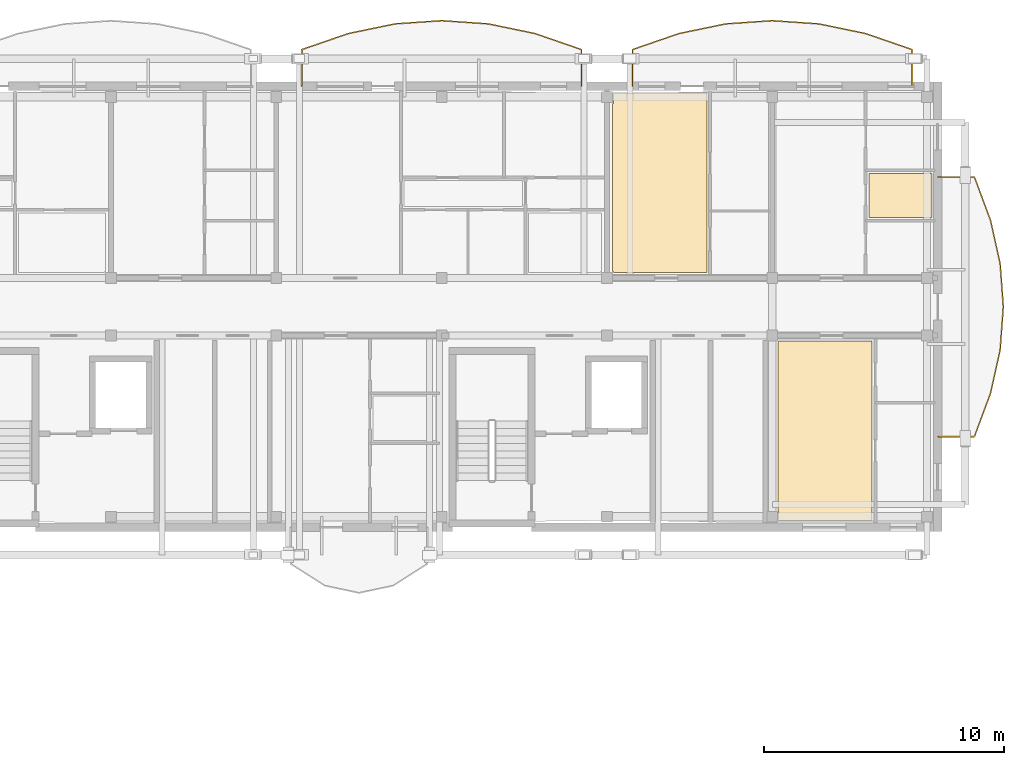
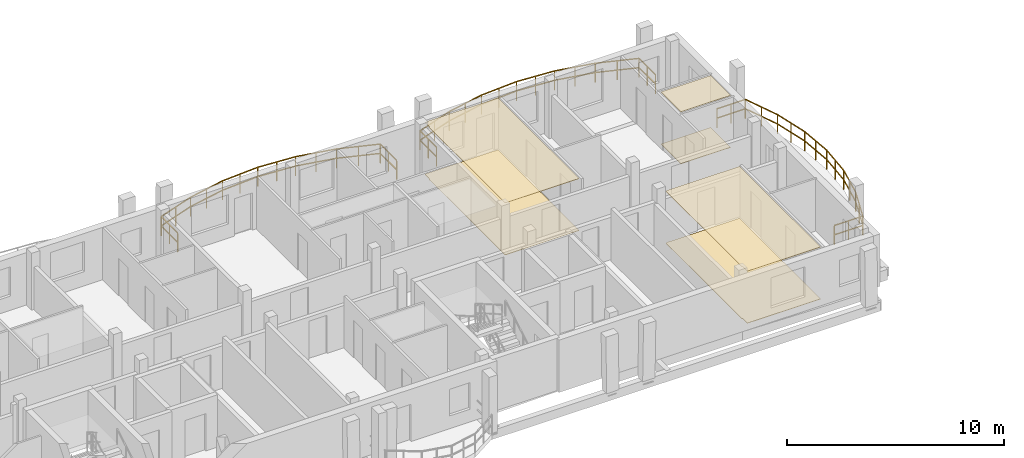
# One storey, part 48 of 48: 6 coverings, 3 railings.
"""IFC4 building model written with IfcOpenShell, lengths in metres."""

from ifc_helpers import new_model, si_unit, direction, frame, origin, origin_2d, place, context, subcontext, project, spatial, polyline, rectangle, outline, extrude, material, layer, layer_set, type_object, element, save


model = new_model("IFC4")

# Units and contexts
model_context = context("Model", 3, precision=1e-05, world=origin(), true_north=direction((0.0, 1.0)))
body_context = subcontext(model_context, "Body", "Model", "MODEL_VIEW")
ifc_project = project(units=[si_unit("LENGTHUNIT", "METRE"), si_unit("AREAUNIT", "SQUARE_METRE"), si_unit("VOLUMEUNIT", "CUBIC_METRE"), si_unit("PLANEANGLEUNIT", "RADIAN"), si_unit("MASSUNIT", "GRAM", prefix="KILO")], contexts=[model_context])

# Site, building, storey
site_placement = place(None, origin())
site = spatial("IfcSite", under=ifc_project, at=site_placement, CompositionType="ELEMENT")
building_placement = place(site_placement, origin())
building = spatial("IfcBuilding", under=site, at=building_placement, Name="Zavelmont Quarter", CompositionType="ELEMENT")
storey_placement = place(building_placement, frame((0.0, 0.0, 17.60009765625)))
storey = spatial("IfcBuildingStorey", under=building, at=storey_placement, Name="L05", CompositionType="ELEMENT", Elevation=17.60009765625)

# Coverings
ifc_material_1 = material(Name="Perforated acoustic gypsum board")
ifc_layer_1 = layer(ifc_material_1, 0.02490234375)
ifc_layer_set_1 = layer_set([ifc_layer_1], Name="Perforated acoustic gypsum board")
covering_type_1 = type_object("IfcCoveringType", Name="CV-CL01", PredefinedType="CEILING", material=ifc_layer_set_1)
covering_1_placement = place(storey_placement, frame((0.0, 0.0, 2.9248046875)))
element("IfcCovering", 1, at=covering_1_placement, inside=storey, type_object=covering_type_1, Name="L05 Residents Study Lounge acoustic ceiling", PredefinedType="CEILING", context=body_context, shape_type="SweptSolid", body=[
    extrude(outline(polyline([(154.429931640625, 115.294921875), (154.465087890625, 115.294921875), (154.465087890625, 115.719970703125), (158.3701171875, 115.719970703125), (158.3701171875, 108.22998046875), (154.465087890625, 108.22998046875), (154.465087890625, 108.264892578125), (154.429931640625, 108.264892578125), (154.429931640625, 115.294921875)])), origin(), (0.0, 0.0, 1.0), 0.025146484375),
])
covering_2_placement = place(storey_placement, frame((0.0, 0.0, 2.9248046875)))
element("IfcCovering", 2, at=covering_2_placement, inside=storey, type_object=covering_type_1, Name="L05 Residents Study Lounge acoustic ceiling", PredefinedType="CEILING", context=body_context, shape_type="SweptSolid", body=[
    extrude(outline(polyline([(161.330078125, 105.3349609375), (161.364990234375, 105.3349609375), (161.364990234375, 105.3701171875), (165.27001953125, 105.3701171875), (165.27001953125, 97.8798828125), (161.364990234375, 97.8798828125), (161.364990234375, 98.304931640625), (161.330078125, 98.304931640625), (161.330078125, 105.3349609375)])), origin(), (0.0, 0.0, 1.0), 0.025146484375),
])
ifc_material_2 = material(Name="Moisture-resistant painted gypsum ceiling")
ifc_layer_2 = layer(ifc_material_2, 0.02001953125)
ifc_layer_set_2 = layer_set([ifc_layer_2], Name="Moisture-resistant painted gypsum ceiling")
covering_type_2 = type_object("IfcCoveringType", Name="CV-CL04", PredefinedType="CEILING", material=ifc_layer_set_2)
covering_3_placement = place(storey_placement, frame((0.0, 0.0, 2.929931640625)))
element("IfcCovering", 3, at=covering_3_placement, inside=storey, type_object=covering_type_2, Name="L05 Bathroom acoustic ceiling", PredefinedType="CEILING", context=body_context, shape_type="SweptSolid", body=[
    extrude(outline(polyline([(165.1298828125, 112.3701171875), (167.77001953125, 112.3701171875), (167.77001953125, 110.530029296875), (165.1298828125, 110.530029296875), (165.1298828125, 112.3701171875)])), origin(), (0.0, 0.0, 1.0), 0.02001953125),
])
ifc_material_3 = material(Name="Engineered European oak parquet")
ifc_layer_3 = layer(ifc_material_3, 0.02197265625)
ifc_layer_set_3 = layer_set([ifc_layer_3], Name="Engineered European oak parquet")
covering_type_3 = type_object("IfcCoveringType", Name="CV-FL01", PredefinedType="FLOORING", material=ifc_layer_set_3)
covering_4_placement = place(storey_placement, origin())
element("IfcCovering", 4, at=covering_4_placement, inside=storey, type_object=covering_type_3, Name="L05 Residents Study Lounge floor finish", PredefinedType="FLOORING", context=body_context, shape_type="SweptSolid", body=[
    extrude(outline(polyline([(154.429931640625, 115.294921875), (154.465087890625, 115.294921875), (154.465087890625, 115.719970703125), (158.3701171875, 115.719970703125), (158.3701171875, 108.22998046875), (154.465087890625, 108.22998046875), (154.465087890625, 108.264892578125), (154.429931640625, 108.264892578125), (154.429931640625, 115.294921875)])), origin(), (0.0, 0.0, 1.0), 0.02197265625),
])
covering_5_placement = place(storey_placement, origin())
element("IfcCovering", 5, at=covering_5_placement, inside=storey, type_object=covering_type_3, Name="L05 Residents Study Lounge floor finish", PredefinedType="FLOORING", context=body_context, shape_type="SweptSolid", body=[
    extrude(outline(polyline([(161.330078125, 105.3349609375), (161.364990234375, 105.3349609375), (161.364990234375, 105.3701171875), (165.27001953125, 105.3701171875), (165.27001953125, 97.8798828125), (161.364990234375, 97.8798828125), (161.364990234375, 98.304931640625), (161.330078125, 98.304931640625), (161.330078125, 105.3349609375)])), origin(), (0.0, 0.0, 1.0), 0.02197265625),
])
ifc_material_4 = material(Name="Slip-resistant porcelain tile")
ifc_layer_4 = layer(ifc_material_4, 0.02587890625)
ifc_layer_set_4 = layer_set([ifc_layer_4], Name="Slip-resistant porcelain tile")
covering_type_4 = type_object("IfcCoveringType", Name="CV-FL04", PredefinedType="FLOORING", material=ifc_layer_set_4)
covering_6_placement = place(storey_placement, origin())
element("IfcCovering", 6, at=covering_6_placement, inside=storey, type_object=covering_type_4, Name="L05 Bathroom floor finish", PredefinedType="FLOORING", context=body_context, shape_type="SweptSolid", body=[
    extrude(outline(polyline([(165.1298828125, 112.3701171875), (167.77001953125, 112.3701171875), (167.77001953125, 110.530029296875), (165.1298828125, 110.530029296875), (165.1298828125, 112.3701171875)])), origin(), (0.0, 0.0, 1.0), 0.02587890625),
])

# Railings
ifc_material_5 = material(Name="Powder-coated steel and tempered double safety glass", Category="steel")
railing_type = type_object("IfcRailingType", Name="RL-BAL1", PredefinedType="BALUSTRADE", material=ifc_material_5)
railing_1_placement = place(storey_placement, frame((153.14111328125, 116.02001953125, 0.0)))
element("IfcRailing", 7, at=railing_1_placement, inside=storey, type_object=railing_type, Name="L05 Block C curved balcony guard RL-BAL1", PredefinedType="BALUSTRADE", context=body_context, shape_type="SweptSolid", body=[
    extrude(rectangle(XDim=0.048095703125, YDim=0.048095703125, at=origin_2d()), frame((0.0, 0.0, 1.076171875), z_axis=(0.0, 1.0, 0.0), x_axis=(-1.0, 0.0, 0.0)), (0.0, 0.0, 1.0), 1.518310546875),
    extrude(rectangle(XDim=0.048095703125, YDim=0.048095703125, at=origin_2d()), frame((0.0, 0.0, 0.550048828125), z_axis=(0.0, 1.0, 0.0), x_axis=(-1.0, 0.0, 0.0)), (0.0, 0.0, 1.0), 1.518310546875),
    extrude(rectangle(XDim=0.048095703125, YDim=0.048095703125, at=origin_2d()), frame((0.0, 1.518310546875, 1.076171875), z_axis=(-0.945372981626, 0.325990683319, 0.0), x_axis=(-0.325990683319, -0.945372981626, 0.0)), (0.0, 0.0, 1.0), 2.0595703125),
    extrude(rectangle(XDim=0.048095703125, YDim=0.048095703125, at=origin_2d()), frame((0.0, 1.518310546875, 0.550048828125), z_axis=(-0.945372981626, 0.325990683319, 0.0), x_axis=(-0.325990683319, -0.945372981626, 0.0)), (0.0, 0.0, 1.0), 2.0595703125),
    extrude(rectangle(XDim=0.048095703125, YDim=0.048095703125, at=origin_2d()), frame((-1.947021484375, 2.189697265625, 1.076171875), z_axis=(-0.979236050797, 0.202723350453, 0.0), x_axis=(-0.202723350453, -0.979236050797, 0.0)), (0.0, 0.0, 1.0), 1.98828125),
    extrude(rectangle(XDim=0.048095703125, YDim=0.048095703125, at=origin_2d()), frame((-1.947021484375, 2.189697265625, 0.550048828125), z_axis=(-0.979236050797, 0.202723350453, 0.0), x_axis=(-0.202723350453, -0.979236050797, 0.0)), (0.0, 0.0, 1.0), 1.98828125),
    extrude(rectangle(XDim=0.048095703125, YDim=0.048095703125, at=origin_2d()), frame((-3.89404296875, 2.5927734375, 1.076171875), z_axis=(-0.997630328423, 0.068802091615, 0.0), x_axis=(-0.068802091615, -0.997630328423, 0.0)), (0.0, 0.0, 1.0), 1.95166015625),
    extrude(rectangle(XDim=0.048095703125, YDim=0.048095703125, at=origin_2d()), frame((-3.89404296875, 2.5927734375, 0.550048828125), z_axis=(-0.997630328423, 0.068802091615, 0.0), x_axis=(-0.068802091615, -0.997630328423, 0.0)), (0.0, 0.0, 1.0), 1.95166015625),
    extrude(rectangle(XDim=0.048095703125, YDim=0.048095703125, at=origin_2d()), frame((-5.841064453125, 2.72705078125, 1.076171875), z_axis=(-0.997630920476, -0.068793506302, 0.0), x_axis=(0.068793506302, -0.997630920476, 0.0)), (0.0, 0.0, 1.0), 1.951904296875),
    extrude(rectangle(XDim=0.048095703125, YDim=0.048095703125, at=origin_2d()), frame((-5.841064453125, 2.72705078125, 0.550048828125), z_axis=(-0.997630920476, -0.068793506302, 0.0), x_axis=(0.068793506302, -0.997630920476, 0.0)), (0.0, 0.0, 1.0), 1.951904296875),
    extrude(rectangle(XDim=0.048095703125, YDim=0.048095703125, at=origin_2d()), frame((-7.788330078125, 2.5927734375, 1.076171875), z_axis=(-0.979231003689, -0.202747728504, 0.0), x_axis=(0.202747728504, -0.979231003689, 0.0)), (0.0, 0.0, 1.0), 1.988037109375),
    extrude(rectangle(XDim=0.048095703125, YDim=0.048095703125, at=origin_2d()), frame((-7.788330078125, 2.5927734375, 0.550048828125), z_axis=(-0.979231003689, -0.202747728504, 0.0), x_axis=(0.202747728504, -0.979231003689, 0.0)), (0.0, 0.0, 1.0), 1.988037109375),
    extrude(rectangle(XDim=0.048095703125, YDim=0.048095703125, at=origin_2d()), frame((-9.735107421875, 2.189697265625, 1.076171875), z_axis=(-0.945385576966, -0.325954154546, 0.0), x_axis=(0.325954154546, -0.945385576966, 0.0)), (0.0, 0.0, 1.0), 2.059814453125),
    extrude(rectangle(XDim=0.048095703125, YDim=0.048095703125, at=origin_2d()), frame((-9.735107421875, 2.189697265625, 0.550048828125), z_axis=(-0.945385576966, -0.325954154546, 0.0), x_axis=(0.325954154546, -0.945385576966, 0.0)), (0.0, 0.0, 1.0), 2.059814453125),
    extrude(rectangle(XDim=0.048095703125, YDim=0.048095703125, at=origin_2d()), frame((-11.682373046875, 1.518310546875, 1.076171875), z_axis=(0.0, -1.0, 0.0), x_axis=(1.0, 0.0, 0.0)), (0.0, 0.0, 1.0), 1.518310546875),
    extrude(rectangle(XDim=0.048095703125, YDim=0.048095703125, at=origin_2d()), frame((-11.682373046875, 1.518310546875, 0.550048828125), z_axis=(0.0, -1.0, 0.0), x_axis=(1.0, 0.0, 0.0)), (0.0, 0.0, 1.0), 1.518310546875),
    extrude(rectangle(XDim=0.0419921875, YDim=0.0419921875, at=origin_2d()), origin(), (0.0, 0.0, 1.0), 1.052001953125),
    extrude(rectangle(XDim=0.0419921875, YDim=0.0419921875, at=origin_2d()), frame((0.0, 0.75927734375, 0.0)), (0.0, 0.0, 1.0), 1.052001953125),
    extrude(rectangle(XDim=0.0419921875, YDim=0.0419921875, at=origin_2d()), frame((0.0, 1.518310546875, 0.0)), (0.0, 0.0, 1.0), 1.052001953125),
    extrude(rectangle(XDim=0.0419921875, YDim=0.0419921875, at=origin_2d()), frame((-0.9736328125, 1.85400390625, 0.0)), (0.0, 0.0, 1.0), 1.052001953125),
    extrude(rectangle(XDim=0.0419921875, YDim=0.0419921875, at=origin_2d()), frame((-1.947021484375, 2.189697265625, 0.0)), (0.0, 0.0, 1.0), 1.052001953125),
    extrude(rectangle(XDim=0.0419921875, YDim=0.0419921875, at=origin_2d()), frame((-2.92041015625, 2.39111328125, 0.0)), (0.0, 0.0, 1.0), 1.052001953125),
    extrude(rectangle(XDim=0.0419921875, YDim=0.0419921875, at=origin_2d()), frame((-3.89404296875, 2.5927734375, 0.0)), (0.0, 0.0, 1.0), 1.052001953125),
    extrude(rectangle(XDim=0.0419921875, YDim=0.0419921875, at=origin_2d()), frame((-4.86767578125, 2.659912109375, 0.0)), (0.0, 0.0, 1.0), 1.052001953125),
    extrude(rectangle(XDim=0.0419921875, YDim=0.0419921875, at=origin_2d()), frame((-5.841064453125, 2.72705078125, 0.0)), (0.0, 0.0, 1.0), 1.052001953125),
    extrude(rectangle(XDim=0.0419921875, YDim=0.0419921875, at=origin_2d()), frame((-6.814697265625, 2.659912109375, 0.0)), (0.0, 0.0, 1.0), 1.052001953125),
    extrude(rectangle(XDim=0.0419921875, YDim=0.0419921875, at=origin_2d()), frame((-7.788330078125, 2.5927734375, 0.0)), (0.0, 0.0, 1.0), 1.052001953125),
    extrude(rectangle(XDim=0.0419921875, YDim=0.0419921875, at=origin_2d()), frame((-8.76171875, 2.39111328125, 0.0)), (0.0, 0.0, 1.0), 1.052001953125),
    extrude(rectangle(XDim=0.0419921875, YDim=0.0419921875, at=origin_2d()), frame((-9.735107421875, 2.189697265625, 0.0)), (0.0, 0.0, 1.0), 1.052001953125),
    extrude(rectangle(XDim=0.0419921875, YDim=0.0419921875, at=origin_2d()), frame((-10.708740234375, 1.85400390625, 0.0)), (0.0, 0.0, 1.0), 1.052001953125),
    extrude(rectangle(XDim=0.0419921875, YDim=0.0419921875, at=origin_2d()), frame((-11.682373046875, 1.518310546875, 0.0)), (0.0, 0.0, 1.0), 1.052001953125),
    extrude(rectangle(XDim=0.0419921875, YDim=0.0419921875, at=origin_2d()), frame((-11.682373046875, 0.75927734375, 0.0)), (0.0, 0.0, 1.0), 1.052001953125),
    extrude(rectangle(XDim=0.0419921875, YDim=0.0419921875, at=origin_2d()), frame((-11.682373046875, 0.0, 0.0)), (0.0, 0.0, 1.0), 1.052001953125),
])
railing_2_placement = place(storey_placement, frame((166.941162109375, 116.02001953125, 0.0)))
element("IfcRailing", 8, at=railing_2_placement, inside=storey, type_object=railing_type, Name="L05 Block C curved balcony guard RL-BAL1", PredefinedType="BALUSTRADE", context=body_context, shape_type="SweptSolid", body=[
    extrude(rectangle(XDim=0.048095703125, YDim=0.048095703125, at=origin_2d()), frame((0.0, 0.0, 1.076171875), z_axis=(0.0, 1.0, 0.0), x_axis=(-1.0, 0.0, 0.0)), (0.0, 0.0, 1.0), 1.518310546875),
    extrude(rectangle(XDim=0.048095703125, YDim=0.048095703125, at=origin_2d()), frame((0.0, 0.0, 0.550048828125), z_axis=(0.0, 1.0, 0.0), x_axis=(-1.0, 0.0, 0.0)), (0.0, 0.0, 1.0), 1.518310546875),
    extrude(rectangle(XDim=0.048095703125, YDim=0.048095703125, at=origin_2d()), frame((0.0, 1.518310546875, 1.076171875), z_axis=(-0.945372981626, 0.325990683319, 0.0), x_axis=(-0.325990683319, -0.945372981626, 0.0)), (0.0, 0.0, 1.0), 2.0595703125),
    extrude(rectangle(XDim=0.048095703125, YDim=0.048095703125, at=origin_2d()), frame((0.0, 1.518310546875, 0.550048828125), z_axis=(-0.945372981626, 0.325990683319, 0.0), x_axis=(-0.325990683319, -0.945372981626, 0.0)), (0.0, 0.0, 1.0), 2.0595703125),
    extrude(rectangle(XDim=0.048095703125, YDim=0.048095703125, at=origin_2d()), frame((-1.947021484375, 2.189697265625, 1.076171875), z_axis=(-0.979236050797, 0.202723350453, 0.0), x_axis=(-0.202723350453, -0.979236050797, 0.0)), (0.0, 0.0, 1.0), 1.98828125),
    extrude(rectangle(XDim=0.048095703125, YDim=0.048095703125, at=origin_2d()), frame((-1.947021484375, 2.189697265625, 0.550048828125), z_axis=(-0.979236050797, 0.202723350453, 0.0), x_axis=(-0.202723350453, -0.979236050797, 0.0)), (0.0, 0.0, 1.0), 1.98828125),
    extrude(rectangle(XDim=0.048095703125, YDim=0.048095703125, at=origin_2d()), frame((-3.89404296875, 2.5927734375, 1.076171875), z_axis=(-0.997630328423, 0.068802091615, 0.0), x_axis=(-0.068802091615, -0.997630328423, 0.0)), (0.0, 0.0, 1.0), 1.95166015625),
    extrude(rectangle(XDim=0.048095703125, YDim=0.048095703125, at=origin_2d()), frame((-3.89404296875, 2.5927734375, 0.550048828125), z_axis=(-0.997630328423, 0.068802091615, 0.0), x_axis=(-0.068802091615, -0.997630328423, 0.0)), (0.0, 0.0, 1.0), 1.95166015625),
    extrude(rectangle(XDim=0.048095703125, YDim=0.048095703125, at=origin_2d()), frame((-5.841064453125, 2.72705078125, 1.076171875), z_axis=(-0.997630920476, -0.068793506302, 0.0), x_axis=(0.068793506302, -0.997630920476, 0.0)), (0.0, 0.0, 1.0), 1.951904296875),
    extrude(rectangle(XDim=0.048095703125, YDim=0.048095703125, at=origin_2d()), frame((-5.841064453125, 2.72705078125, 0.550048828125), z_axis=(-0.997630920476, -0.068793506302, 0.0), x_axis=(0.068793506302, -0.997630920476, 0.0)), (0.0, 0.0, 1.0), 1.951904296875),
    extrude(rectangle(XDim=0.048095703125, YDim=0.048095703125, at=origin_2d()), frame((-7.788330078125, 2.5927734375, 1.076171875), z_axis=(-0.979236050797, -0.202723350453, 0.0), x_axis=(0.202723350453, -0.979236050797, 0.0)), (0.0, 0.0, 1.0), 1.98828125),
    extrude(rectangle(XDim=0.048095703125, YDim=0.048095703125, at=origin_2d()), frame((-7.788330078125, 2.5927734375, 0.550048828125), z_axis=(-0.979236050797, -0.202723350453, 0.0), x_axis=(0.202723350453, -0.979236050797, 0.0)), (0.0, 0.0, 1.0), 1.98828125),
    extrude(rectangle(XDim=0.048095703125, YDim=0.048095703125, at=origin_2d()), frame((-9.7353515625, 2.189697265625, 1.076171875), z_axis=(-0.945372981626, -0.325990683319, 0.0), x_axis=(0.325990683319, -0.945372981626, 0.0)), (0.0, 0.0, 1.0), 2.0595703125),
    extrude(rectangle(XDim=0.048095703125, YDim=0.048095703125, at=origin_2d()), frame((-9.7353515625, 2.189697265625, 0.550048828125), z_axis=(-0.945372981626, -0.325990683319, 0.0), x_axis=(0.325990683319, -0.945372981626, 0.0)), (0.0, 0.0, 1.0), 2.0595703125),
    extrude(rectangle(XDim=0.048095703125, YDim=0.048095703125, at=origin_2d()), frame((-11.682373046875, 1.518310546875, 1.076171875), z_axis=(0.0, -1.0, 0.0), x_axis=(1.0, 0.0, 0.0)), (0.0, 0.0, 1.0), 1.518310546875),
    extrude(rectangle(XDim=0.048095703125, YDim=0.048095703125, at=origin_2d()), frame((-11.682373046875, 1.518310546875, 0.550048828125), z_axis=(0.0, -1.0, 0.0), x_axis=(1.0, 0.0, 0.0)), (0.0, 0.0, 1.0), 1.518310546875),
    extrude(rectangle(XDim=0.0419921875, YDim=0.0419921875, at=origin_2d()), origin(), (0.0, 0.0, 1.0), 1.052001953125),
    extrude(rectangle(XDim=0.0419921875, YDim=0.0419921875, at=origin_2d()), frame((0.0, 0.75927734375, 0.0)), (0.0, 0.0, 1.0), 1.052001953125),
    extrude(rectangle(XDim=0.0419921875, YDim=0.0419921875, at=origin_2d()), frame((0.0, 1.518310546875, 0.0)), (0.0, 0.0, 1.0), 1.052001953125),
    extrude(rectangle(XDim=0.0419921875, YDim=0.0419921875, at=origin_2d()), frame((-0.9736328125, 1.85400390625, 0.0)), (0.0, 0.0, 1.0), 1.052001953125),
    extrude(rectangle(XDim=0.0419921875, YDim=0.0419921875, at=origin_2d()), frame((-1.947021484375, 2.189697265625, 0.0)), (0.0, 0.0, 1.0), 1.052001953125),
    extrude(rectangle(XDim=0.0419921875, YDim=0.0419921875, at=origin_2d()), frame((-2.92041015625, 2.39111328125, 0.0)), (0.0, 0.0, 1.0), 1.052001953125),
    extrude(rectangle(XDim=0.0419921875, YDim=0.0419921875, at=origin_2d()), frame((-3.89404296875, 2.5927734375, 0.0)), (0.0, 0.0, 1.0), 1.052001953125),
    extrude(rectangle(XDim=0.0419921875, YDim=0.0419921875, at=origin_2d()), frame((-4.86767578125, 2.659912109375, 0.0)), (0.0, 0.0, 1.0), 1.052001953125),
    extrude(rectangle(XDim=0.0419921875, YDim=0.0419921875, at=origin_2d()), frame((-5.841064453125, 2.72705078125, 0.0)), (0.0, 0.0, 1.0), 1.052001953125),
    extrude(rectangle(XDim=0.0419921875, YDim=0.0419921875, at=origin_2d()), frame((-6.814697265625, 2.659912109375, 0.0)), (0.0, 0.0, 1.0), 1.052001953125),
    extrude(rectangle(XDim=0.0419921875, YDim=0.0419921875, at=origin_2d()), frame((-7.788330078125, 2.5927734375, 0.0)), (0.0, 0.0, 1.0), 1.052001953125),
    extrude(rectangle(XDim=0.0419921875, YDim=0.0419921875, at=origin_2d()), frame((-8.76171875, 2.39111328125, 0.0)), (0.0, 0.0, 1.0), 1.052001953125),
    extrude(rectangle(XDim=0.0419921875, YDim=0.0419921875, at=origin_2d()), frame((-9.7353515625, 2.189697265625, 0.0)), (0.0, 0.0, 1.0), 1.052001953125),
    extrude(rectangle(XDim=0.0419921875, YDim=0.0419921875, at=origin_2d()), frame((-10.708984375, 1.85400390625, 0.0)), (0.0, 0.0, 1.0), 1.052001953125),
    extrude(rectangle(XDim=0.0419921875, YDim=0.0419921875, at=origin_2d()), frame((-11.682373046875, 1.518310546875, 0.0)), (0.0, 0.0, 1.0), 1.052001953125),
    extrude(rectangle(XDim=0.0419921875, YDim=0.0419921875, at=origin_2d()), frame((-11.682373046875, 0.75927734375, 0.0)), (0.0, 0.0, 1.0), 1.052001953125),
    extrude(rectangle(XDim=0.0419921875, YDim=0.0419921875, at=origin_2d()), frame((-11.682373046875, 0.0, 0.0)), (0.0, 0.0, 1.0), 1.052001953125),
])
railing_3_placement = place(storey_placement, frame((168.02001953125, 101.376708984375, 0.0)))
element("IfcRailing", 9, at=railing_3_placement, inside=storey, type_object=railing_type, Name="L05 Block C curved balcony guard RL-BAL1", PredefinedType="BALUSTRADE", context=body_context, shape_type="SweptSolid", body=[
    extrude(rectangle(XDim=0.048095703125, YDim=0.048095703125, at=origin_2d()), frame((0.0, 0.0, 1.076171875), z_axis=(1.0, 0.0, 0.0), x_axis=(0.0, 1.0, 0.0)), (0.0, 0.0, 1.0), 1.518310546875),
    extrude(rectangle(XDim=0.048095703125, YDim=0.048095703125, at=origin_2d()), frame((0.0, 0.0, 0.550048828125), z_axis=(1.0, 0.0, 0.0), x_axis=(0.0, 1.0, 0.0)), (0.0, 0.0, 1.0), 1.518310546875),
    extrude(rectangle(XDim=0.048095703125, YDim=0.048095703125, at=origin_2d()), frame((1.518310546875, 0.0, 1.076171875), z_axis=(0.34813885134, 0.937442979699, 0.0), x_axis=(-0.937442979699, 0.34813885134, 0.0)), (0.0, 0.0, 1.0), 1.928466796875),
    extrude(rectangle(XDim=0.048095703125, YDim=0.048095703125, at=origin_2d()), frame((1.518310546875, 0.0, 0.550048828125), z_axis=(0.34813885134, 0.937442979699, 0.0), x_axis=(-0.937442979699, 0.34813885134, 0.0)), (0.0, 0.0, 1.0), 1.928466796875),
    extrude(rectangle(XDim=0.048095703125, YDim=0.048095703125, at=origin_2d()), frame((2.189697265625, 1.807861328125, 1.076171875), z_axis=(0.217642252451, 0.976028611234, 0.0), x_axis=(-0.976028611234, 0.217642252451, 0.0)), (0.0, 0.0, 1.0), 1.85205078125),
    extrude(rectangle(XDim=0.048095703125, YDim=0.048095703125, at=origin_2d()), frame((2.189697265625, 1.807861328125, 0.550048828125), z_axis=(0.217642252451, 0.976028611234, 0.0), x_axis=(-0.976028611234, 0.217642252451, 0.0)), (0.0, 0.0, 1.0), 1.85205078125),
    extrude(rectangle(XDim=0.048095703125, YDim=0.048095703125, at=origin_2d()), frame((2.5927734375, 3.615478515625, 1.076171875), z_axis=(0.074070110742, 0.997253036443, 0.0), x_axis=(-0.997253036443, 0.074070110742, 0.0)), (0.0, 0.0, 1.0), 1.812744140625),
    extrude(rectangle(XDim=0.048095703125, YDim=0.048095703125, at=origin_2d()), frame((2.5927734375, 3.615478515625, 0.550048828125), z_axis=(0.074070110742, 0.997253036443, 0.0), x_axis=(-0.997253036443, 0.074070110742, 0.0)), (0.0, 0.0, 1.0), 1.812744140625),
    extrude(rectangle(XDim=0.048095703125, YDim=0.048095703125, at=origin_2d()), frame((2.72705078125, 5.42333984375, 1.076171875), z_axis=(-0.074070110742, 0.997253036443, 0.0), x_axis=(-0.997253036443, -0.074070110742, 0.0)), (0.0, 0.0, 1.0), 1.812744140625),
    extrude(rectangle(XDim=0.048095703125, YDim=0.048095703125, at=origin_2d()), frame((2.72705078125, 5.42333984375, 0.550048828125), z_axis=(-0.074070110742, 0.997253036443, 0.0), x_axis=(-0.997253036443, -0.074070110742, 0.0)), (0.0, 0.0, 1.0), 1.812744140625),
    extrude(rectangle(XDim=0.048095703125, YDim=0.048095703125, at=origin_2d()), frame((2.5927734375, 7.231201171875, 1.076171875), z_axis=(-0.217642252451, 0.976028611234, 0.0), x_axis=(-0.976028611234, -0.217642252451, 0.0)), (0.0, 0.0, 1.0), 1.85205078125),
    extrude(rectangle(XDim=0.048095703125, YDim=0.048095703125, at=origin_2d()), frame((2.5927734375, 7.231201171875, 0.550048828125), z_axis=(-0.217642252451, 0.976028611234, 0.0), x_axis=(-0.976028611234, -0.217642252451, 0.0)), (0.0, 0.0, 1.0), 1.85205078125),
    extrude(rectangle(XDim=0.048095703125, YDim=0.048095703125, at=origin_2d()), frame((2.189697265625, 9.038818359375, 1.076171875), z_axis=(-0.34813885134, 0.937442979699, 0.0), x_axis=(-0.937442979699, -0.34813885134, 0.0)), (0.0, 0.0, 1.0), 1.928466796875),
    extrude(rectangle(XDim=0.048095703125, YDim=0.048095703125, at=origin_2d()), frame((2.189697265625, 9.038818359375, 0.550048828125), z_axis=(-0.34813885134, 0.937442979699, 0.0), x_axis=(-0.937442979699, -0.34813885134, 0.0)), (0.0, 0.0, 1.0), 1.928466796875),
    extrude(rectangle(XDim=0.048095703125, YDim=0.048095703125, at=origin_2d()), frame((1.518310546875, 10.8466796875, 1.076171875), z_axis=(-1.0, 0.0, 0.0), x_axis=(0.0, -1.0, 0.0)), (0.0, 0.0, 1.0), 1.518310546875),
    extrude(rectangle(XDim=0.048095703125, YDim=0.048095703125, at=origin_2d()), frame((1.518310546875, 10.8466796875, 0.550048828125), z_axis=(-1.0, 0.0, 0.0), x_axis=(0.0, -1.0, 0.0)), (0.0, 0.0, 1.0), 1.518310546875),
    extrude(rectangle(XDim=0.0419921875, YDim=0.0419921875, at=origin_2d()), origin(), (0.0, 0.0, 1.0), 1.052001953125),
    extrude(rectangle(XDim=0.0419921875, YDim=0.0419921875, at=origin_2d()), frame((0.75927734375, 0.0, 0.0)), (0.0, 0.0, 1.0), 1.052001953125),
    extrude(rectangle(XDim=0.0419921875, YDim=0.0419921875, at=origin_2d()), frame((1.518310546875, 0.0, 0.0)), (0.0, 0.0, 1.0), 1.052001953125),
    extrude(rectangle(XDim=0.0419921875, YDim=0.0419921875, at=origin_2d()), frame((1.85400390625, 0.90380859375, 0.0)), (0.0, 0.0, 1.0), 1.052001953125),
    extrude(rectangle(XDim=0.0419921875, YDim=0.0419921875, at=origin_2d()), frame((2.189697265625, 1.807861328125, 0.0)), (0.0, 0.0, 1.0), 1.052001953125),
    extrude(rectangle(XDim=0.0419921875, YDim=0.0419921875, at=origin_2d()), frame((2.39111328125, 2.711669921875, 0.0)), (0.0, 0.0, 1.0), 1.052001953125),
    extrude(rectangle(XDim=0.0419921875, YDim=0.0419921875, at=origin_2d()), frame((2.5927734375, 3.615478515625, 0.0)), (0.0, 0.0, 1.0), 1.052001953125),
    extrude(rectangle(XDim=0.0419921875, YDim=0.0419921875, at=origin_2d()), frame((2.659912109375, 4.51953125, 0.0)), (0.0, 0.0, 1.0), 1.052001953125),
    extrude(rectangle(XDim=0.0419921875, YDim=0.0419921875, at=origin_2d()), frame((2.72705078125, 5.42333984375, 0.0)), (0.0, 0.0, 1.0), 1.052001953125),
    extrude(rectangle(XDim=0.0419921875, YDim=0.0419921875, at=origin_2d()), frame((2.659912109375, 6.3271484375, 0.0)), (0.0, 0.0, 1.0), 1.052001953125),
    extrude(rectangle(XDim=0.0419921875, YDim=0.0419921875, at=origin_2d()), frame((2.5927734375, 7.231201171875, 0.0)), (0.0, 0.0, 1.0), 1.052001953125),
    extrude(rectangle(XDim=0.0419921875, YDim=0.0419921875, at=origin_2d()), frame((2.39111328125, 8.135009765625, 0.0)), (0.0, 0.0, 1.0), 1.052001953125),
    extrude(rectangle(XDim=0.0419921875, YDim=0.0419921875, at=origin_2d()), frame((2.189697265625, 9.038818359375, 0.0)), (0.0, 0.0, 1.0), 1.052001953125),
    extrude(rectangle(XDim=0.0419921875, YDim=0.0419921875, at=origin_2d()), frame((1.85400390625, 9.94287109375, 0.0)), (0.0, 0.0, 1.0), 1.052001953125),
    extrude(rectangle(XDim=0.0419921875, YDim=0.0419921875, at=origin_2d()), frame((1.518310546875, 10.8466796875, 0.0)), (0.0, 0.0, 1.0), 1.052001953125),
    extrude(rectangle(XDim=0.0419921875, YDim=0.0419921875, at=origin_2d()), frame((0.75927734375, 10.8466796875, 0.0)), (0.0, 0.0, 1.0), 1.052001953125),
    extrude(rectangle(XDim=0.0419921875, YDim=0.0419921875, at=origin_2d()), frame((0.0, 10.8466796875, 0.0)), (0.0, 0.0, 1.0), 1.052001953125),
])

save(model, "model.ifc")
